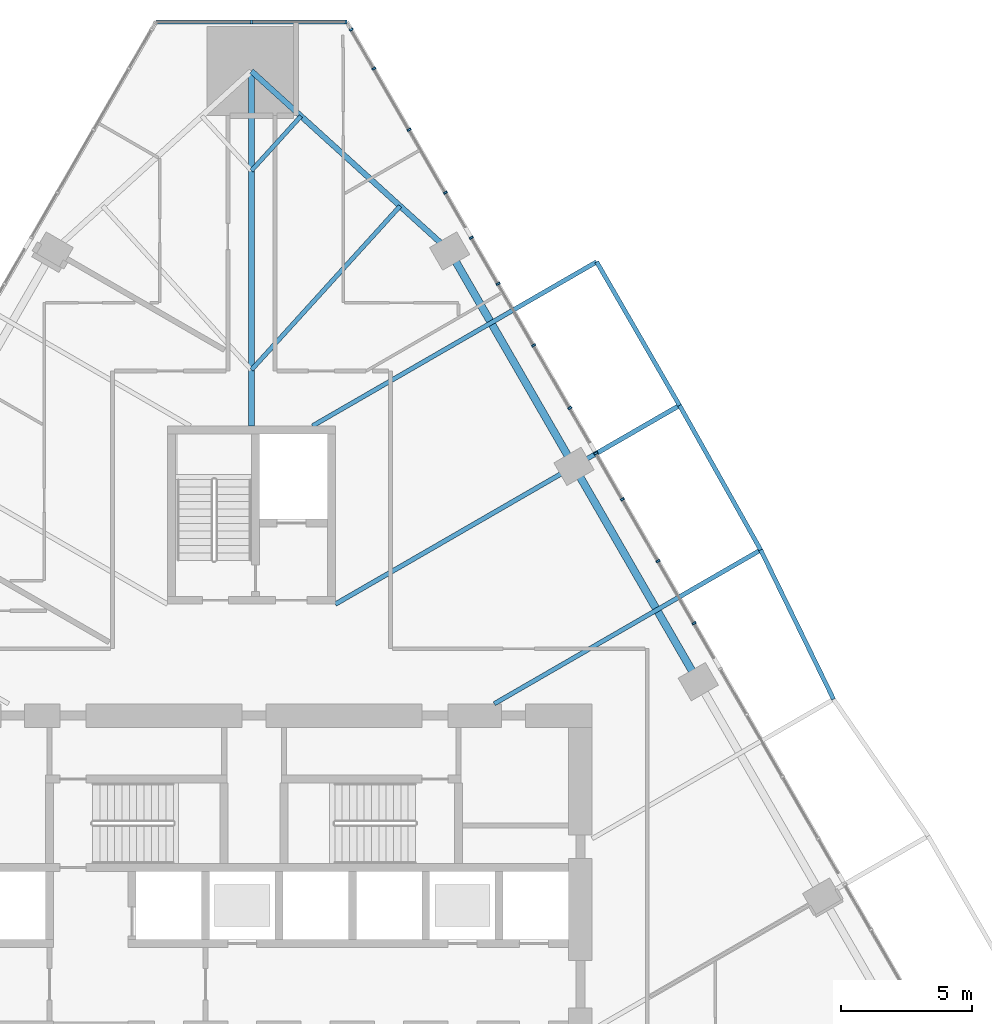
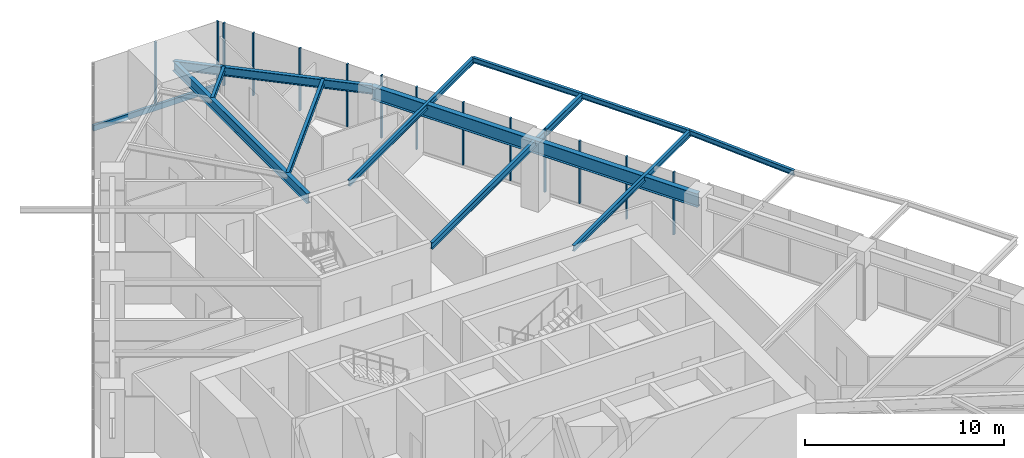
# One storey, part 11 of 26: 15 members, 11 beams, 2 elements without a shape of their own.
"""IFC4 building model written with IfcOpenShell, lengths in metres."""

from ifc_helpers import new_model, si_unit, direction, frame, origin, origin_2d, place, context, subcontext, project, spatial, rectangle, i_section, extrude, material, layer, layer_set, material_profile, profile_set, type_object, element, aggregate, save


model = new_model("IFC4")

# Units and contexts
model_context = context("Model", 3, precision=1e-05, world=origin(), true_north=direction((0.0, 1.0)))
body_context = subcontext(model_context, "Body", "Model", "MODEL_VIEW")
ifc_project = project(units=[si_unit("LENGTHUNIT", "METRE"), si_unit("AREAUNIT", "SQUARE_METRE"), si_unit("VOLUMEUNIT", "CUBIC_METRE"), si_unit("PLANEANGLEUNIT", "RADIAN"), si_unit("MASSUNIT", "GRAM", prefix="KILO")], contexts=[model_context])

# Site, building, storey
site_placement = place(None, origin())
site = spatial("IfcSite", under=ifc_project, at=site_placement, CompositionType="ELEMENT")
building_placement = place(site_placement, origin())
building = spatial("IfcBuilding", under=site, at=building_placement, Name="Firuza Gate Tower and Library", CompositionType="ELEMENT")
storey_placement = place(building_placement, frame((0.0, 0.0, 77.800048828125)))
storey = spatial("IfcBuildingStorey", under=building, at=storey_placement, Name="L17", CompositionType="ELEMENT", Elevation=77.800048828125)

# Curtain wall, members
ifc_material_1 = material(Name="Aluminium 6063-T6", Category="aluminium")
ifc_layer_1 = layer(ifc_material_1, 0.14990234375)
ifc_layer_set_1 = layer_set([ifc_layer_1], Name="Unitised curtain wall, offices")
curtain_wall_type_1 = type_object("IfcCurtainWallType", Name="Unitised curtain wall, offices", PredefinedType="NOTDEFINED", material=ifc_layer_set_1)
placement = place(storey_placement, origin())
curtain_wall_1 = element("IfcCurtainWall", 1, at=placement, inside=storey, type_object=curtain_wall_type_1, Name="CW1 L17 E face", PredefinedType="NOTDEFINED")
ifc_material_2 = material(Name="Aluminium 6063-T6", Category="aluminium")
ifc_material_profile_1 = material_profile(ifc_material_2, rectangle(XDim=0.14990234375, YDim=0.080078125, at=origin_2d()))
ifc_profile_set_1 = profile_set([ifc_material_profile_1], Name="Aluminium 6063-T6")
member_type_1 = type_object("IfcMemberType", Name="Curtain wall mullion 80x150", PredefinedType="MULLION", material=ifc_profile_set_1)
member_1_placement = place(storey_placement, frame((90.51806640625, 89.444091796875, 0.14990234375), z_axis=(0.0, 0.0, 1.0), x_axis=(-0.866025403784, -0.5, 0.0)))
member_1 = element("IfcMember", 2, at=member_1_placement, type_object=member_type_1, Name="Mullion", PredefinedType="MULLION", context=body_context, shape_type="SweptSolid", body=[
    extrude(rectangle(XDim=0.14990234375, YDim=0.080078125, at=origin_2d()), origin(), (0.0, 0.0, 1.0), 3.85009765625),
])
member_2_placement = place(storey_placement, frame((88.14306640625, 93.557373046875, 0.14990234375), z_axis=(0.0, 0.0, 1.0), x_axis=(-0.866025403784, -0.5, 0.0)))
member_2 = element("IfcMember", 3, at=member_2_placement, type_object=member_type_1, Name="Mullion", PredefinedType="MULLION", context=body_context, shape_type="SweptSolid", body=[
    extrude(rectangle(XDim=0.14990234375, YDim=0.080078125, at=origin_2d()), origin(), (0.0, 0.0, 1.0), 3.85009765625),
])
member_3_placement = place(storey_placement, frame((85.76806640625, 97.6708984375, 0.14990234375), z_axis=(0.0, 0.0, 1.0), x_axis=(-0.866025403784, -0.5, 0.0)))
member_3 = element("IfcMember", 4, at=member_3_placement, type_object=member_type_1, Name="Mullion", PredefinedType="MULLION", context=body_context, shape_type="SweptSolid", body=[
    extrude(rectangle(XDim=0.14990234375, YDim=0.080078125, at=origin_2d()), origin(), (0.0, 0.0, 1.0), 3.85009765625),
])
member_4_placement = place(storey_placement, frame((83.39306640625, 101.784423828125, 0.14990234375), z_axis=(0.0, 0.0, 1.0), x_axis=(-0.866025403784, -0.5, 0.0)))
member_4 = element("IfcMember", 5, at=member_4_placement, type_object=member_type_1, Name="Mullion", PredefinedType="MULLION", context=body_context, shape_type="SweptSolid", body=[
    extrude(rectangle(XDim=0.14990234375, YDim=0.080078125, at=origin_2d()), origin(), (0.0, 0.0, 1.0), 3.85009765625),
])
member_5_placement = place(storey_placement, frame((81.018310546875, 105.89794921875, 0.14990234375), z_axis=(0.0, 0.0, 1.0), x_axis=(-0.866025403784, -0.5, 0.0)))
member_5 = element("IfcMember", 6, at=member_5_placement, type_object=member_type_1, Name="Mullion", PredefinedType="MULLION", context=body_context, shape_type="SweptSolid", body=[
    extrude(rectangle(XDim=0.14990234375, YDim=0.080078125, at=origin_2d()), origin(), (0.0, 0.0, 1.0), 3.85009765625),
])
member_6_placement = place(storey_placement, frame((91.888427734375, 87.0703125, 0.14990234375), z_axis=(0.0, 0.0, 1.0), x_axis=(-0.866025403784, -0.5, 0.0)))
member_6 = element("IfcMember", 7, at=member_6_placement, type_object=member_type_1, Name="Mullion", PredefinedType="MULLION", context=body_context, shape_type="SweptSolid", body=[
    extrude(rectangle(XDim=0.14990234375, YDim=0.080078125, at=origin_2d()), origin(), (0.0, 0.0, 1.0), 3.85009765625),
])
member_7_placement = place(storey_placement, frame((89.15478515625, 91.80517578125, 0.14990234375), z_axis=(0.0, 0.0, 1.0), x_axis=(-0.866025403784, -0.5, 0.0)))
member_7 = element("IfcMember", 8, at=member_7_placement, type_object=member_type_1, Name="Mullion", PredefinedType="MULLION", context=body_context, shape_type="SweptSolid", body=[
    extrude(rectangle(XDim=0.14990234375, YDim=0.080078125, at=origin_2d()), origin(), (0.0, 0.0, 1.0), 3.85009765625),
])
member_8_placement = place(storey_placement, frame((87.145751953125, 95.284912109375, 0.14990234375), z_axis=(0.0, 0.0, 1.0), x_axis=(-0.866025403784, -0.5, 0.0)))
member_8 = element("IfcMember", 9, at=member_8_placement, type_object=member_type_1, Name="Mullion", PredefinedType="MULLION", context=body_context, shape_type="SweptSolid", body=[
    extrude(rectangle(XDim=0.14990234375, YDim=0.080078125, at=origin_2d()), origin(), (0.0, 0.0, 1.0), 3.85009765625),
])
member_9_placement = place(storey_placement, frame((84.412109375, 100.01953125, 0.14990234375), z_axis=(0.0, 0.0, 1.0), x_axis=(-0.866025403784, -0.5, 0.0)))
member_9 = element("IfcMember", 10, at=member_9_placement, type_object=member_type_1, Name="Mullion", PredefinedType="MULLION", context=body_context, shape_type="SweptSolid", body=[
    extrude(rectangle(XDim=0.14990234375, YDim=0.080078125, at=origin_2d()), origin(), (0.0, 0.0, 1.0), 3.85009765625),
])
member_10_placement = place(storey_placement, frame((82.403076171875, 103.49951171875, 0.14990234375), z_axis=(0.0, 0.0, 1.0), x_axis=(-0.866025403784, -0.5, 0.0)))
member_10 = element("IfcMember", 11, at=member_10_placement, type_object=member_type_1, Name="Mullion", PredefinedType="MULLION", context=body_context, shape_type="SweptSolid", body=[
    extrude(rectangle(XDim=0.14990234375, YDim=0.080078125, at=origin_2d()), origin(), (0.0, 0.0, 1.0), 3.85009765625),
])
member_11_placement = place(storey_placement, frame((79.66943359375, 108.234130859375, 0.14990234375), z_axis=(0.0, 0.0, 1.0), x_axis=(-0.866025403784, -0.5, 0.0)))
member_11 = element("IfcMember", 12, at=member_11_placement, type_object=member_type_1, Name="Mullion", PredefinedType="MULLION", context=body_context, shape_type="SweptSolid", body=[
    extrude(rectangle(XDim=0.14990234375, YDim=0.080078125, at=origin_2d()), origin(), (0.0, 0.0, 1.0), 3.85009765625),
])
member_12_placement = place(storey_placement, frame((78.808837890625, 109.724609375, 0.14990234375), z_axis=(0.0, 0.0, 1.0), x_axis=(-0.866025403784, -0.5, 0.0)))
member_12 = element("IfcMember", 13, at=member_12_placement, type_object=member_type_1, Name="Mullion", PredefinedType="MULLION", context=body_context, shape_type="SweptSolid", body=[
    extrude(rectangle(XDim=0.14990234375, YDim=0.080078125, at=origin_2d()), origin(), (0.0, 0.0, 1.0), 3.85009765625),
])
aggregate(curtain_wall_1, [member_1, member_2, member_3, member_4, member_5, member_6, member_7, member_8, member_9, member_10, member_11, member_12])

ifc_material_3 = material(Name="Aluminium 6063-T6", Category="aluminium")
ifc_layer_2 = layer(ifc_material_3, 0.14990234375)
ifc_layer_set_2 = layer_set([ifc_layer_2], Name="Corner curtain wall, chamfers")
curtain_wall_type_2 = type_object("IfcCurtainWallType", Name="Corner curtain wall, chamfers", PredefinedType="NOTDEFINED", material=ifc_layer_set_2)
curtain_wall_2 = element("IfcCurtainWall", 14, at=placement, inside=storey, type_object=curtain_wall_type_2, Name="CW4 L17 N corner", PredefinedType="NOTDEFINED")
member_13_placement = place(storey_placement, frame((78.603271484375, 110.011474609375, 0.14990234375), z_axis=(0.0, 0.0, 1.0), x_axis=(0.0, -1.0, 0.0)))
member_13 = element("IfcMember", 15, at=member_13_placement, type_object=member_type_1, Name="Mullion", PredefinedType="MULLION", context=body_context, shape_type="SweptSolid", body=[
    extrude(rectangle(XDim=0.14990234375, YDim=0.080078125, at=origin_2d()), origin(), (0.0, 0.0, 1.0), 3.85009765625),
])
member_14_placement = place(storey_placement, frame((75.0, 110.011474609375, 0.14990234375), z_axis=(0.0, 0.0, 1.0), x_axis=(0.0, -1.0, 0.0)))
member_14 = element("IfcMember", 16, at=member_14_placement, type_object=member_type_1, Name="Mullion", PredefinedType="MULLION", context=body_context, shape_type="SweptSolid", body=[
    extrude(rectangle(XDim=0.14990234375, YDim=0.080078125, at=origin_2d()), origin(), (0.0, 0.0, 1.0), 3.85009765625),
])
ifc_material_4 = material(Name="Aluminium 6063-T6", Category="aluminium")
ifc_material_profile_2 = material_profile(ifc_material_4, rectangle(XDim=0.14990234375, YDim=0.35009765625, at=origin_2d()))
ifc_profile_set_2 = profile_set([ifc_material_profile_2], Name="Aluminium 6063-T6")
member_type_2 = type_object("IfcMemberType", Name="Curtain wall transom 350x150", PredefinedType="USERDEFINED", material=ifc_profile_set_2)
member_15_placement = place(storey_placement, frame((78.643310546875, 110.011474609375, -0.025146484375), z_axis=(-1.0, 0.0, 0.0), x_axis=(0.0, -1.0, 0.0)))
member_15 = element("IfcMember", 17, at=member_15_placement, type_object=member_type_2, Name="Transom", ObjectType="TRANSOM", PredefinedType="USERDEFINED", context=body_context, shape_type="SweptSolid", body=[
    extrude(rectangle(XDim=0.14990234375, YDim=0.35009765625, at=origin_2d()), origin(), (0.0, 0.0, 1.0), 7.28662109375),
])
aggregate(curtain_wall_2, [member_13, member_14, member_15])

# Beams
ifc_material_5 = material(Name="Steel S355", Category="steel")
ifc_material_profile_3 = material_profile(ifc_material_5, i_section(OverallWidth=0.1650390625, OverallDepth=0.31005859375, WebThickness=0.005859375, FlangeThickness=0.009765625, at=origin_2d()))
ifc_profile_set_3 = profile_set([ifc_material_profile_3], Name="Steel S355")
beam_type_1 = type_object("IfcBeamType", Name="W310x39 Floor beam", PredefinedType="JOIST", material=ifc_profile_set_3)
beam_1_placement = place(storey_placement, frame((76.890869140625, 106.42041015625, 3.844970703125), z_axis=(-0.672089489403, -0.740469930675, 0.0), x_axis=(0.740469930675, -0.672089489403, 0.0)))
element("IfcBeam", 18, at=beam_1_placement, inside=storey, type_object=beam_type_1, Name="Floor beam L17 s61", PredefinedType="JOIST", context=body_context, shape_type="SweptSolid", body=[
    extrude(i_section(OverallWidth=0.1650390625, OverallDepth=0.31005859375, WebThickness=0.005859375, FlangeThickness=0.009765625, at=origin_2d()), origin(), (0.0, 0.0, 1.0), 2.8134765625),
])
beam_2_placement = place(storey_placement, frame((97.209228515625, 84.171630859375, 3.844970703125), z_axis=(-0.438488130268, 0.89873698022, 0.0), x_axis=(-0.89873698022, -0.438488130268, 0.0)))
element("IfcBeam", 19, at=beam_2_placement, inside=storey, type_object=beam_type_1, Name="Tray edge beam L17 s52-s53", PredefinedType="JOIST", context=body_context, shape_type="SweptSolid", body=[
    extrude(i_section(OverallWidth=0.1650390625, OverallDepth=0.31005859375, WebThickness=0.005859375, FlangeThickness=0.009765625, at=origin_2d()), origin(), (0.0, 0.0, 1.0), 6.3388671875),
])
beam_3_placement = place(storey_placement, frame((94.4296875, 89.86865234375, 3.844970703125), z_axis=(-0.489672765634, 0.871906292325, 0.0), x_axis=(-0.871906292325, -0.489672765634, 0.0)))
element("IfcBeam", 20, at=beam_3_placement, inside=storey, type_object=beam_type_1, Name="Tray edge beam L17 s53-s54", PredefinedType="JOIST", context=body_context, shape_type="SweptSolid", body=[
    extrude(i_section(OverallWidth=0.1650390625, OverallDepth=0.31005859375, WebThickness=0.005859375, FlangeThickness=0.009765625, at=origin_2d()), origin(), (0.0, 0.0, 1.0), 6.323974609375),
])
beam_4_placement = place(storey_placement, frame((91.3330078125, 95.382568359375, 3.844970703125), z_axis=(-0.500013207142, 0.866017778503, 0.0), x_axis=(-0.866017778503, -0.500013207142, 0.0)))
element("IfcBeam", 21, at=beam_4_placement, inside=storey, type_object=beam_type_1, Name="Tray edge beam L17 s54-s55", PredefinedType="JOIST", context=body_context, shape_type="SweptSolid", body=[
    extrude(i_section(OverallWidth=0.1650390625, OverallDepth=0.31005859375, WebThickness=0.005859375, FlangeThickness=0.009765625, at=origin_2d()), origin(), (0.0, 0.0, 1.0), 6.323486328125),
])
ifc_material_6 = material(Name="Steel S355", Category="steel")
ifc_material_profile_4 = material_profile(ifc_material_6, i_section(OverallWidth=0.1708984375, OverallDepth=0.35498046875, WebThickness=0.007080078125, FlangeThickness=0.01171875, at=origin_2d()))
ifc_profile_set_4 = profile_set([ifc_material_profile_4], Name="Steel S355")
beam_type_2 = type_object("IfcBeamType", Name="W360x51 Floor beam", PredefinedType="JOIST", material=ifc_profile_set_4)
beam_5_placement = place(storey_placement, frame((94.4296875, 89.86865234375, 3.822509765625), z_axis=(-0.866025209756, -0.500000336066, 0.0), x_axis=(0.500000336066, -0.866025209756, 0.0)))
element("IfcBeam", 22, at=beam_5_placement, inside=storey, type_object=beam_type_2, Name="Floor beam L17 s53", PredefinedType="JOIST", context=body_context, shape_type="SweptSolid", body=[
    extrude(i_section(OverallWidth=0.1708984375, OverallDepth=0.35498046875, WebThickness=0.007080078125, FlangeThickness=0.01171875, at=origin_2d()), origin(), (0.0, 0.0, 1.0), 11.7373046875),
])
beam_6_placement = place(storey_placement, frame((88.171142578125, 100.85888671875, 3.822509765625), z_axis=(-0.86602611322, -0.49999877122, 0.0), x_axis=(0.49999877122, -0.86602611322, 0.0)))
element("IfcBeam", 23, at=beam_6_placement, inside=storey, type_object=beam_type_2, Name="Floor beam L17 s55", PredefinedType="JOIST", context=body_context, shape_type="SweptSolid", body=[
    extrude(i_section(OverallWidth=0.1708984375, OverallDepth=0.35498046875, WebThickness=0.007080078125, FlangeThickness=0.01171875, at=origin_2d()), origin(), (0.0, 0.0, 1.0), 12.517578125),
])
beam_7_placement = place(storey_placement, frame((80.67236328125, 102.988037109375, 3.822509765625), z_axis=(-0.672073629083, -0.740484326027, 0.0), x_axis=(0.740484326027, -0.672073629083, 0.0)))
element("IfcBeam", 24, at=beam_7_placement, inside=storey, type_object=beam_type_2, Name="Floor beam L17 s60", PredefinedType="JOIST", context=body_context, shape_type="SweptSolid", body=[
    extrude(i_section(OverallWidth=0.1708984375, OverallDepth=0.35498046875, WebThickness=0.007080078125, FlangeThickness=0.01171875, at=origin_2d()), origin(), (0.0, 0.0, 1.0), 8.440185546875),
])
ifc_material_7 = material(Name="Steel S355", Category="steel")
ifc_material_profile_5 = material_profile(ifc_material_7, i_section(OverallWidth=0.177978515625, OverallDepth=0.406982421875, WebThickness=0.0078125, FlangeThickness=0.0126953125, at=origin_2d()))
ifc_profile_set_5 = profile_set([ifc_material_profile_5], Name="Steel S355")
beam_type_3 = type_object("IfcBeamType", Name="W410x60 Floor beam", PredefinedType="JOIST", material=ifc_profile_set_5)
beam_8_placement = place(storey_placement, frame((91.3330078125, 95.382568359375, 3.79638671875), z_axis=(-0.866028213373, -0.499995133618, 0.0), x_axis=(0.499995133618, -0.866028213373, 0.0)))
element("IfcBeam", 25, at=beam_8_placement, inside=storey, type_object=beam_type_3, Name="Floor beam L17 s54", PredefinedType="JOIST", context=body_context, shape_type="SweptSolid", body=[
    extrude(i_section(OverallWidth=0.177978515625, OverallDepth=0.406982421875, WebThickness=0.0078125, FlangeThickness=0.0126953125, at=origin_2d()), origin(), (0.0, 0.0, 1.0), 15.164794921875),
])
ifc_material_8 = material(Name="Steel S355", Category="steel")
ifc_material_profile_6 = material_profile(ifc_material_8, i_section(OverallWidth=0.212890625, OverallDepth=0.5390625, WebThickness=0.01171875, FlangeThickness=0.018798828125, at=origin_2d()))
ifc_profile_set_6 = profile_set([ifc_material_profile_6], Name="Steel S355")
beam_type_4 = type_object("IfcBeamType", Name="W530x109 Edge beam", PredefinedType="SPANDREL", material=ifc_profile_set_6)
beam_9_placement = place(storey_placement, frame((82.563232421875, 101.27197265625, 3.73046875), z_axis=(-0.740483862736, 0.672074139532, 0.0), x_axis=(-0.672074139532, -0.740483862736, 0.0)))
element("IfcBeam", 26, at=beam_9_placement, inside=storey, type_object=beam_type_4, Name="Edge beam L17 e60", PredefinedType="SPANDREL", context=body_context, shape_type="SweptSolid", body=[
    extrude(i_section(OverallWidth=0.212890625, OverallDepth=0.5390625, WebThickness=0.01171875, FlangeThickness=0.018798828125, at=origin_2d()), origin(), (0.0, 0.0, 1.0), 10.2138671875),
])
ifc_material_9 = material(Name="Steel S355", Category="steel")
ifc_material_profile_7 = material_profile(ifc_material_9, i_section(OverallWidth=0.22802734375, OverallDepth=0.60302734375, WebThickness=0.010498046875, FlangeThickness=0.014892578125, at=origin_2d()))
ifc_profile_set_7 = profile_set([ifc_material_profile_7], Name="Steel S355")
beam_type_5 = type_object("IfcBeamType", Name="W610x101 Girder", PredefinedType="BEAM", material=ifc_profile_set_7)
beam_10_placement = place(storey_placement, frame((75.0, 108.136474609375, 3.698486328125), z_axis=(0.0, -1.0, 0.0), x_axis=(1.0, 0.0, 0.0)))
element("IfcBeam", 27, at=beam_10_placement, inside=storey, type_object=beam_type_5, Name="Girder L17 gN", PredefinedType="BEAM", context=body_context, shape_type="SweptSolid", body=[
    extrude(i_section(OverallWidth=0.22802734375, OverallDepth=0.60302734375, WebThickness=0.010498046875, FlangeThickness=0.014892578125, at=origin_2d()), origin(), (0.0, 0.0, 1.0), 13.536376953125),
])
ifc_material_10 = material(Name="Steel S355", Category="steel")
ifc_material_profile_8 = material_profile(ifc_material_10, i_section(OverallWidth=0.2919921875, OverallDepth=0.8349609375, WebThickness=0.013916015625, FlangeThickness=0.018798828125, at=origin_2d()))
ifc_profile_set_8 = profile_set([ifc_material_profile_8], Name="Steel S355")
beam_type_6 = type_object("IfcBeamType", Name="W840x176 Edge beam", PredefinedType="SPANDREL", material=ifc_profile_set_8)
beam_11_placement = place(storey_placement, frame((92.048583984375, 84.843017578125, 3.58251953125), z_axis=(-0.500003555199, 0.866023351179, 0.0), x_axis=(-0.866023351179, -0.500003555199, 0.0)))
element("IfcBeam", 28, at=beam_11_placement, inside=storey, type_object=beam_type_6, Name="Edge beam L17 e52", PredefinedType="SPANDREL", context=body_context, shape_type="SweptSolid", body=[
    extrude(i_section(OverallWidth=0.2919921875, OverallDepth=0.8349609375, WebThickness=0.013916015625, FlangeThickness=0.018798828125, at=origin_2d()), origin(), (0.0, 0.0, 1.0), 18.970458984375),
])

save(model, "model.ifc")
